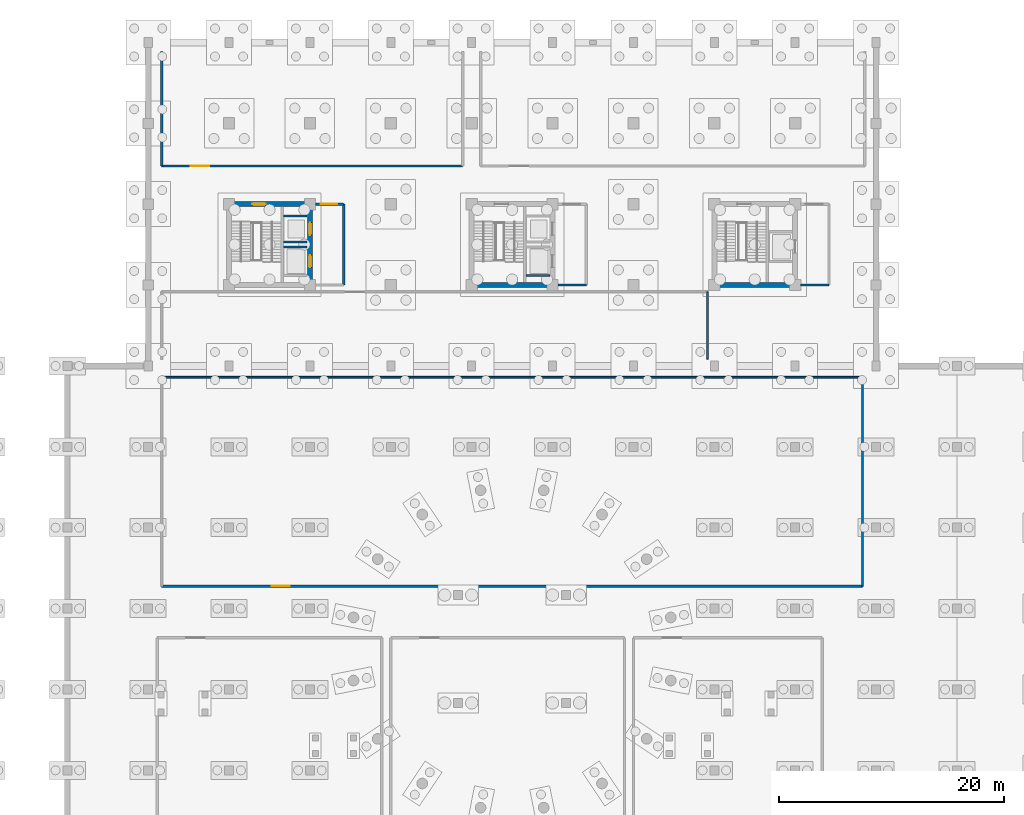
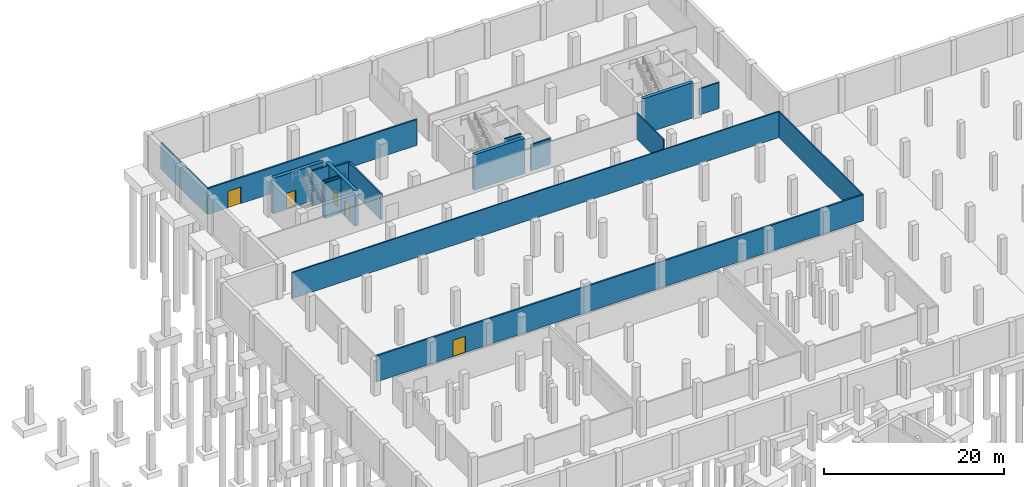
# One storey, part 11 of 19: 18 walls, 6 doors, 6 openings.
"""IFC4 building model written with IfcOpenShell, lengths in metres."""

from ifc_helpers import new_model, si_unit, direction, frame, frame_2d, origin, place, context, subcontext, project, spatial, rectangle, extrude, material, layer, layer_set, type_object, element, fill, save


model = new_model("IFC4")

# Units and contexts
model_context = context("Model", 3, precision=1e-05, world=origin(), true_north=direction((0.0, 1.0)))
body_context = subcontext(model_context, "Body", "Model", "MODEL_VIEW")
ifc_project = project(units=[si_unit("LENGTHUNIT", "METRE"), si_unit("AREAUNIT", "SQUARE_METRE"), si_unit("VOLUMEUNIT", "CUBIC_METRE"), si_unit("PLANEANGLEUNIT", "RADIAN"), si_unit("MASSUNIT", "GRAM", prefix="KILO")], contexts=[model_context])

# Site, building, storey
site_placement = place(None, origin())
site = spatial("IfcSite", under=ifc_project, at=site_placement, CompositionType="ELEMENT")
building_placement = place(site_placement, origin())
building = spatial("IfcBuilding", under=site, at=building_placement, Name="Qiaolan Assembly House", CompositionType="ELEMENT")
storey_placement = place(building_placement, frame((0.0, 0.0, -4.800048828125)))
storey = spatial("IfcBuildingStorey", under=building, at=storey_placement, Name="B1", CompositionType="ELEMENT", Elevation=-4.800048828125)

# Wall, openings, doors
ifc_material_1 = material(Name="Concrete C50/60", Category="concrete")
ifc_layer_1 = layer(ifc_material_1, 0.449951171875)
ifc_layer_set_1 = layer_set([ifc_layer_1], Name="Concrete C50/60")
wall_type_1 = type_object("IfcWallType", Name="WAL-CORE-450", PredefinedType="SHEAR", material=ifc_layer_set_1)
wall_1_placement = place(storey_placement, frame((50.39990234375, 93.949951171875, 0.0), z_axis=(0.0, 0.0, 1.0), x_axis=(0.0, 1.0, 0.0)))
wall_1 = element("IfcWall", 1, at=wall_1_placement, inside=storey, type_object=wall_type_1, Name="CW-450 shear core wall CORE-A E B1", PredefinedType="SHEAR", context=body_context, shape_type="SweptSolid", body=[
    extrude(rectangle(XDim=6.5, YDim=0.449951171875, at=frame_2d((3.25, 0.0))), origin(), (0.0, 0.0, 1.0), 4.800048828125),
])
opening_1_placement = place(wall_1_placement, frame((1.22509765625, 0.0, 0.0)))
opening_1 = element("IfcOpeningElement", 2, at=opening_1_placement, cuts=wall_1, Name="Opening LD-001", PredefinedType="OPENING", context=body_context, shape_type="SweptSolid", body=[
    extrude(rectangle(XDim=1.10009765625, YDim=2.199951171875, at=frame_2d((0.550048828125, 1.10009765625))), frame((0.0, 0.23486328125, 0.0), z_axis=(0.0, -1.0, 0.0), x_axis=(1.0, 0.0, 0.0)), (0.0, 0.0, 1.0), 0.469970703125),
])
opening_2_placement = place(wall_1_placement, frame((4.10009765625, 0.0, 0.0)))
opening_2 = element("IfcOpeningElement", 3, at=opening_2_placement, cuts=wall_1, Name="Opening LD-010", PredefinedType="OPENING", context=body_context, shape_type="SweptSolid", body=[
    extrude(rectangle(XDim=1.10009765625, YDim=2.199951171875, at=frame_2d((0.550048828125, 1.10009765625))), frame((0.0, 0.23486328125, 0.0), z_axis=(0.0, -1.0, 0.0), x_axis=(1.0, 0.0, 0.0)), (0.0, 0.0, 1.0), 0.469970703125),
])
ifc_material_2 = material(Name="Anodised bronze aluminium", Category="aluminium")
door_type_1 = type_object("IfcDoorType", Name="DOR-LIFT-LD1100", OperationType="SLIDING_TO_LEFT", PredefinedType="DOOR", material=ifc_material_2)
door_1_placement = place(opening_1_placement, origin())
door_1 = element("IfcDoor", 4, at=door_1_placement, inside=storey, type_object=door_type_1, Name="Lift landing door LD-001 (LF-01 B1)", OperationType="SLIDING_TO_LEFT", OverallHeight=2.199951171875, OverallWidth=1.10009765625, PredefinedType="DOOR", context=body_context, shape_type="SweptSolid", body=[
    extrude(rectangle(XDim=1.10009765625, YDim=2.199951171875, at=frame_2d((0.550048828125, 1.10009765625))), frame((0.0, 0.02490234375, 0.0), z_axis=(0.0, -1.0, 0.0), x_axis=(1.0, 0.0, 0.0)), (0.0, 0.0, 1.0), 0.050048828125),
])
fill(opening_1, door_1)
door_2_placement = place(opening_2_placement, origin())
door_2 = element("IfcDoor", 5, at=door_2_placement, inside=storey, type_object=door_type_1, Name="Lift landing door LD-010 (LF-02 B1)", OperationType="SLIDING_TO_LEFT", OverallHeight=2.199951171875, OverallWidth=1.10009765625, PredefinedType="DOOR", context=body_context, shape_type="SweptSolid", body=[
    extrude(rectangle(XDim=1.10009765625, YDim=2.199951171875, at=frame_2d((0.550048828125, 1.10009765625))), frame((0.0, 0.02490234375, 0.0), z_axis=(0.0, -1.0, 0.0), x_axis=(1.0, 0.0, 0.0)), (0.0, 0.0, 1.0), 0.050048828125),
])
fill(opening_2, door_2)

# Wall, opening, door
wall_2_placement = place(storey_placement, frame((50.050048828125, 100.800048828125, 0.0), z_axis=(0.0, 0.0, 1.0), x_axis=(-1.0, 0.0, 0.0)))
wall_2 = element("IfcWall", 6, at=wall_2_placement, inside=storey, type_object=wall_type_1, Name="CW-450 shear core wall CORE-A N B1", PredefinedType="SHEAR", context=body_context, shape_type="SweptSolid", body=[
    extrude(rectangle(XDim=6.5, YDim=0.449951171875, at=frame_2d((3.25, 0.0))), origin(), (0.0, 0.0, 1.0), 4.800048828125),
])
opening_3_placement = place(wall_2_placement, frame((3.60009765625, 0.0, 0.0)))
opening_3 = element("IfcOpeningElement", 7, at=opening_3_placement, cuts=wall_2, Name="Opening FD-001", PredefinedType="OPENING", context=body_context, shape_type="SweptSolid", body=[
    extrude(rectangle(XDim=1.199951171875, YDim=2.199951171875, at=frame_2d((0.60009765625, 1.10009765625))), frame((0.0, 0.23486328125, 0.0), z_axis=(0.0, -1.0, 0.0), x_axis=(1.0, 0.0, 0.0)), (0.0, 0.0, 1.0), 0.469970703125),
])
ifc_material_3 = material(Name="Steel Q355B", Category="steel")
door_type_2 = type_object("IfcDoorType", Name="DOR-FIRE-FD90-1200", OperationType="NOTDEFINED", PredefinedType="DOOR", material=ifc_material_3)
door_3_placement = place(opening_3_placement, frame((1.199951171875, 0.0, 0.0), z_axis=(0.0, 0.0, 1.0), x_axis=(-1.0, 0.0, 0.0)))
door_3 = element("IfcDoor", 8, at=door_3_placement, inside=storey, type_object=door_type_2, Name="Stairwell fire door FD-001 (CORE-A B1)", OperationType="SINGLE_SWING_RIGHT", OverallHeight=2.199951171875, OverallWidth=1.199951171875, PredefinedType="DOOR", context=body_context, shape_type="SweptSolid", body=[
    extrude(rectangle(XDim=1.199951171875, YDim=2.199951171875, at=frame_2d((0.60009765625, 1.10009765625))), frame((0.0, 0.02490234375, 0.0), z_axis=(0.0, -1.0, 0.0), x_axis=(1.0, 0.0, 0.0)), (0.0, 0.0, 1.0), 0.050048828125),
])
fill(opening_3, door_3)

# Walls
for number, where, z_axis, x_axis, name in (
    (9, (65.14990234375, 93.60009765625, 0.0), (0.0, 0.0, 1.0), (1.0, 0.0, 0.0), "CW-450 shear core wall CORE-B S B1"),
    (10, (86.75, 93.60009765625, 0.0), (0.0, 0.0, 1.0), (1.0, 0.0, 0.0), "CW-450 shear core wall CORE-G S B1"),
):
    element("IfcWall", number, at=place(storey_placement, frame(where, z_axis=z_axis, x_axis=x_axis)), inside=storey, type_object=wall_type_1, Name=name, PredefinedType="SHEAR", context=body_context, shape_type="SweptSolid", body=[
        extrude(rectangle(XDim=6.5, YDim=0.449951171875, at=frame_2d((3.25, 0.0))), origin(), (0.0, 0.0, 1.0), 4.800048828125),
    ])
ifc_material_4 = material(Name="Concrete C35/45", Category="concrete")
ifc_layer_2 = layer(ifc_material_4, 0.199951171875)
ifc_layer_set_2 = layer_set([ifc_layer_2], Name="Concrete C35/45")
wall_type_2 = type_object("IfcWallType", Name="WAL-LOBBY-200", PredefinedType="PARTITIONING", material=ifc_layer_set_2)
wall_3_placement = place(storey_placement, frame((53.39990234375, 93.60009765625, 0.0), z_axis=(0.0, 0.0, 1.0), x_axis=(0.0, 1.0, 0.0)))
element("IfcWall", 11, at=wall_3_placement, inside=storey, type_object=wall_type_2, Name="Firefighting lift lobby east wall CORE-A B1", PredefinedType="PARTITIONING", context=body_context, shape_type="SweptSolid", body=[
    extrude(rectangle(XDim=7.199951171875, YDim=0.199951171875, at=frame_2d((3.60009765625, 0.0))), origin(), (0.0, 0.0, 1.0), 3.52001953125),
])

# Wall, opening, door
wall_4_placement = place(storey_placement, frame((53.39990234375, 100.800048828125, 0.0), z_axis=(0.0, 0.0, 1.0), x_axis=(-1.0, 0.0, 0.0)))
wall_4 = element("IfcWall", 12, at=wall_4_placement, inside=storey, type_object=wall_type_2, Name="Firefighting lift lobby north wall CORE-A B1", PredefinedType="PARTITIONING", context=body_context, shape_type="SweptSolid", body=[
    extrude(rectangle(XDim=2.52001953125, YDim=0.199951171875, at=frame_2d((1.260009765625, 0.0))), origin(), (0.0, 0.0, 1.0), 3.52001953125),
])
opening_4_placement = place(wall_4_placement, frame((0.550048828125, 0.0, 0.0)))
opening_4 = element("IfcOpeningElement", 13, at=opening_4_placement, cuts=wall_4, Name="Opening FD-002", PredefinedType="OPENING", context=body_context, shape_type="SweptSolid", body=[
    extrude(rectangle(XDim=1.5, YDim=2.199951171875, at=frame_2d((0.75, 1.10009765625))), frame((0.0, 0.10986328125, 0.0), z_axis=(0.0, -1.0, 0.0), x_axis=(1.0, 0.0, 0.0)), (0.0, 0.0, 1.0), 0.219970703125),
])
ifc_material_5 = material(Name="Acoustic oak panelling")
door_type_3 = type_object("IfcDoorType", Name="DOR-LOBBY-FD60-1500", OperationType="DOUBLE_DOOR_SINGLE_SWING", PredefinedType="DOOR", material=ifc_material_5)
door_4_placement = place(opening_4_placement, frame((1.5, 0.0, 0.0), z_axis=(0.0, 0.0, 1.0), x_axis=(-1.0, 0.0, 0.0)))
door_4 = element("IfcDoor", 14, at=door_4_placement, inside=storey, type_object=door_type_3, Name="Lobby corridor fire door FD-002", OperationType="DOUBLE_DOOR_SINGLE_SWING", OverallHeight=2.199951171875, OverallWidth=1.5, PredefinedType="DOOR", context=body_context, shape_type="SweptSolid", body=[
    extrude(rectangle(XDim=1.5, YDim=2.199951171875, at=frame_2d((0.75, 1.10009765625))), frame((0.0, 0.02490234375, 0.0), z_axis=(0.0, -1.0, 0.0), x_axis=(1.0, 0.0, 0.0)), (0.0, 0.0, 1.0), 0.050048828125),
])
fill(opening_4, door_4)

# Walls
for number, where, z_axis, x_axis, name in (
    (15, (72.47998046875, 93.60009765625, 0.0), (0.0, 0.0, 1.0), (1.0, 0.0, 0.0), "Firefighting lift lobby south wall CORE-B B1"),
    (16, (94.080078125, 93.60009765625, 0.0), (0.0, 0.0, 1.0), (1.0, 0.0, 0.0), "Firefighting lift lobby south wall CORE-G B1"),
):
    element("IfcWall", number, at=place(storey_placement, frame(where, z_axis=z_axis, x_axis=x_axis)), inside=storey, type_object=wall_type_2, Name=name, PredefinedType="PARTITIONING", context=body_context, shape_type="SweptSolid", body=[
        extrude(rectangle(XDim=2.52001953125, YDim=0.199951171875, at=frame_2d((1.260009765625, 0.0))), origin(), (0.0, 0.0, 1.0), 3.52001953125),
    ])

# Wall, opening, door
wall_5_placement = place(storey_placement, frame((37.199951171875, 104.199951171875, 0.0), z_axis=(0.0, 0.0, 1.0), x_axis=(1.0, 0.0, 0.0)))
wall_5 = element("IfcWall", 17, at=wall_5_placement, inside=storey, type_object=wall_type_2, Name="Municipal Deed & Civic Record Vault corridor wall", PredefinedType="PARTITIONING", context=body_context, shape_type="SweptSolid", body=[
    extrude(rectangle(XDim=26.800048828125, YDim=0.199951171875, at=frame_2d((13.39990234375, 0.0))), origin(), (0.0, 0.0, 1.0), 3.52001953125),
])
opening_5_placement = place(wall_5_placement, frame((2.60009765625, 0.0, 0.0)))
opening_5 = element("IfcOpeningElement", 18, at=opening_5_placement, cuts=wall_5, Name="Opening PD-140", PredefinedType="OPENING", context=body_context, shape_type="SweptSolid", body=[
    extrude(rectangle(XDim=1.64990234375, YDim=2.25, at=frame_2d((0.824951171875, 1.125))), frame((0.0, 0.10986328125, 0.0), z_axis=(0.0, -1.0, 0.0), x_axis=(1.0, 0.0, 0.0)), (0.0, 0.0, 1.0), 0.219970703125),
])
door_type_4 = type_object("IfcDoorType", Name="DOR-PLANT-STL-1600", OperationType="DOUBLE_DOOR_SINGLE_SWING", PredefinedType="DOOR", material=ifc_material_3)
door_5_placement = place(opening_5_placement, origin())
door_5 = element("IfcDoor", 19, at=door_5_placement, inside=storey, type_object=door_type_4, Name="Plant/vault fire door PD-140", OperationType="DOUBLE_DOOR_SINGLE_SWING", OverallHeight=2.25, OverallWidth=1.64990234375, PredefinedType="DOOR", context=body_context, shape_type="SweptSolid", body=[
    extrude(rectangle(XDim=1.64990234375, YDim=2.25, at=frame_2d((0.824951171875, 1.125))), frame((0.0, 0.02490234375, 0.0), z_axis=(0.0, -1.0, 0.0), x_axis=(1.0, 0.0, 0.0)), (0.0, 0.0, 1.0), 0.050048828125),
])
fill(opening_5, door_5)

# Walls
wall_6_placement = place(storey_placement, frame((37.199951171875, 114.39990234375, 0.0), z_axis=(0.0, 0.0, 1.0), x_axis=(0.0, -1.0, 0.0)))
element("IfcWall", 20, at=wall_6_placement, inside=storey, type_object=wall_type_2, Name="Municipal Deed & Civic Record Vault west wall", PredefinedType="PARTITIONING", context=body_context, shape_type="SweptSolid", body=[
    extrude(rectangle(XDim=10.199951171875, YDim=0.199951171875, at=frame_2d((5.10009765625, 0.0))), origin(), (0.0, 0.0, 1.0), 3.52001953125),
])
ifc_material_6 = material(Name="Gypsum plasterboard partition")
ifc_layer_3 = layer(ifc_material_6, 0.14990234375)
ifc_layer_set_3 = layer_set([ifc_layer_3], Name="Gypsum plasterboard partition")
wall_type_3 = type_object("IfcWallType", Name="WAL-PART-150", PredefinedType="PARTITIONING", material=ifc_layer_set_3)
wall_7_placement = place(storey_placement, frame((99.60009765625, 66.800048828125, 0.0), z_axis=(0.0, 0.0, 1.0), x_axis=(0.0, 1.0, 0.0)))
element("IfcWall", 21, at=wall_7_placement, inside=storey, type_object=wall_type_3, Name="Municipal Public Archive Reference Hall east wall", PredefinedType="PARTITIONING", context=body_context, shape_type="SweptSolid", body=[
    extrude(rectangle(XDim=18.599853515625, YDim=0.14990234375, at=frame_2d((9.2998046875, 0.0))), origin(), (0.0, 0.0, 1.0), 3.52001953125),
])
wall_8_placement = place(storey_placement, frame((99.60009765625, 85.39990234375, 0.0), z_axis=(0.0, 0.0, 1.0), x_axis=(-1.0, 0.0, 0.0)))
element("IfcWall", 22, at=wall_8_placement, inside=storey, type_object=wall_type_3, Name="Municipal Public Archive Reference Hall north wall", PredefinedType="PARTITIONING", context=body_context, shape_type="SweptSolid", body=[
    extrude(rectangle(XDim=62.400146484375, YDim=0.14990234375, at=frame_2d((31.2001953125, 0.0))), origin(), (0.0, 0.0, 1.0), 3.52001953125),
])
wall_9_placement = place(storey_placement, frame((85.800048828125, 87.0, 0.0), z_axis=(0.0, 0.0, 1.0), x_axis=(0.0, 1.0, 0.0)))
element("IfcWall", 23, at=wall_9_placement, inside=storey, type_object=wall_type_3, Name="Civic Staff Training east wall", PredefinedType="PARTITIONING", context=body_context, shape_type="SweptSolid", body=[
    extrude(rectangle(XDim=6.0, YDim=0.14990234375, at=frame_2d((3.0, 0.0))), origin(), (0.0, 0.0, 1.0), 3.52001953125),
])

# Wall, opening, door
ifc_material_7 = material(Name="Gypsum acoustic stud wall")
ifc_layer_4 = layer(ifc_material_7, 0.2119140625)
ifc_layer_set_4 = layer_set([ifc_layer_4], Name="Gypsum acoustic stud wall")
wall_type_4 = type_object("IfcWallType", Name="WAL-PART-ACOUSTIC-200", PredefinedType="PARTITIONING", material=ifc_layer_set_4)
wall_10_placement = place(storey_placement, frame((37.199951171875, 66.800048828125, 0.0), z_axis=(0.0, 0.0, 1.0), x_axis=(1.0, 0.0, 0.0)))
wall_10 = element("IfcWall", 24, at=wall_10_placement, inside=storey, type_object=wall_type_4, Name="Municipal Public Archive Reference Hall south wall", PredefinedType="PARTITIONING", context=body_context, shape_type="SweptSolid", body=[
    extrude(rectangle(XDim=62.400146484375, YDim=0.2119140625, at=frame_2d((31.2001953125, 0.0))), origin(), (0.0, 0.0, 1.0), 3.52001953125),
])
opening_6_placement = place(wall_10_placement, frame((9.800048828125, 0.0, 0.0)))
opening_6 = element("IfcOpeningElement", 25, at=opening_6_placement, cuts=wall_10, Name="Opening AD-135", PredefinedType="OPENING", context=body_context, shape_type="SweptSolid", body=[
    extrude(rectangle(XDim=1.60009765625, YDim=2.199951171875, at=frame_2d((0.800048828125, 1.10009765625))), frame((0.0, 0.115966796875, 0.0), z_axis=(0.0, -1.0, 0.0), x_axis=(1.0, 0.0, 0.0)), (0.0, 0.0, 1.0), 0.23193359375),
])
door_type_5 = type_object("IfcDoorType", Name="DOR-COMM-DBL-1600", OperationType="DOUBLE_DOOR_SINGLE_SWING", PredefinedType="DOOR", material=ifc_material_5)
door_6_placement = place(opening_6_placement, origin())
door_6 = element("IfcDoor", 26, at=door_6_placement, inside=storey, type_object=door_type_5, Name="Municipal Public Archive Reference Hall door AD-135", OperationType="DOUBLE_DOOR_SINGLE_SWING", OverallHeight=2.199951171875, OverallWidth=1.60009765625, PredefinedType="DOOR", context=body_context, shape_type="SweptSolid", body=[
    extrude(rectangle(XDim=1.60009765625, YDim=2.199951171875, at=frame_2d((0.800048828125, 1.10009765625))), frame((0.0, 0.02490234375, 0.0), z_axis=(0.0, -1.0, 0.0), x_axis=(1.0, 0.0, 0.0)), (0.0, 0.0, 1.0), 0.050048828125),
])
fill(opening_6, door_6)

# Walls
ifc_layer_5 = layer(ifc_material_4, 0.18505859375)
ifc_layer_set_5 = layer_set([ifc_layer_5], Name="Concrete C35/45")
wall_type_5 = type_object("IfcWallType", Name="WAL-SHAFT-200", PredefinedType="PARTITIONING", material=ifc_layer_set_5)
for number, where, z_axis, x_axis, name in (
    (27, (48.050048828125, 97.0, 0.0), (0.0, 0.0, 1.0), (1.0, 0.0, 0.0), "SW-200 lift shaft wall LF-01 B1 DIVN"),
    (28, (48.050048828125, 97.449951171875, 0.0), (0.0, 0.0, 1.0), (1.0, 0.0, 0.0), "SW-200 lift shaft wall LF-02 B1 DIVS"),
    (29, (48.050048828125, 99.75, 0.0), (0.0, 0.0, 1.0), (1.0, 0.0, 0.0), "SW-200 lift shaft wall LF-02 B1 DIVN"),
):
    element("IfcWall", number, at=place(storey_placement, frame(where, z_axis=z_axis, x_axis=x_axis)), inside=storey, type_object=wall_type_5, Name=name, PredefinedType="PARTITIONING", context=body_context, shape_type="SweptSolid", body=[
        extrude(rectangle(XDim=2.099853515625, YDim=0.18505859375, at=frame_2d((1.0498046875, 0.0))), origin(), (0.0, 0.0, 1.0), 4.800048828125),
    ])
wall_11_placement = place(storey_placement, frame((69.64990234375, 94.449951171875, 0.0), z_axis=(0.0, 0.0, 1.0), x_axis=(1.0, 0.0, 0.0)))
element("IfcWall", 30, at=wall_11_placement, inside=storey, type_object=wall_type_5, Name="SW-200 lift shaft wall LF-03 B1 DIVS", PredefinedType="PARTITIONING", context=body_context, shape_type="SweptSolid", body=[
    extrude(rectangle(XDim=2.10009765625, YDim=0.18505859375, at=frame_2d((1.050048828125, 0.0))), origin(), (0.0, 0.0, 1.0), 4.800048828125),
])

save(model, "model.ifc")
